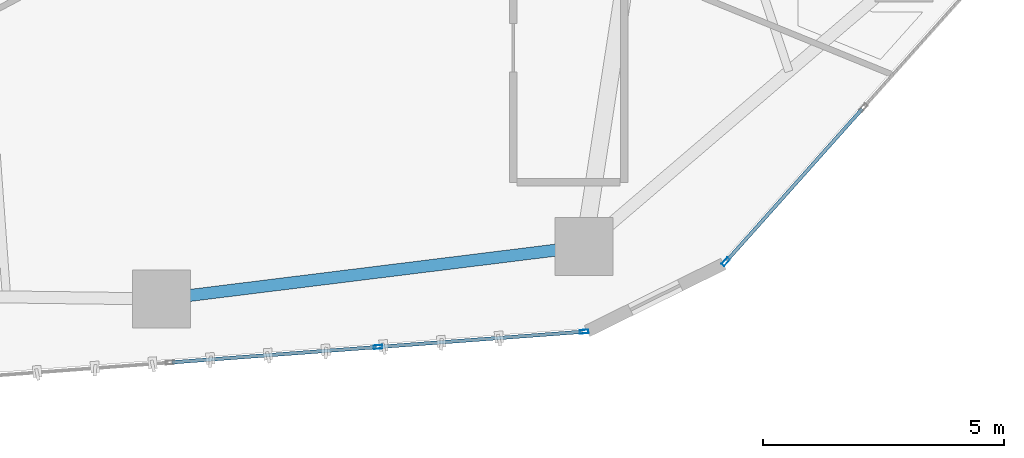
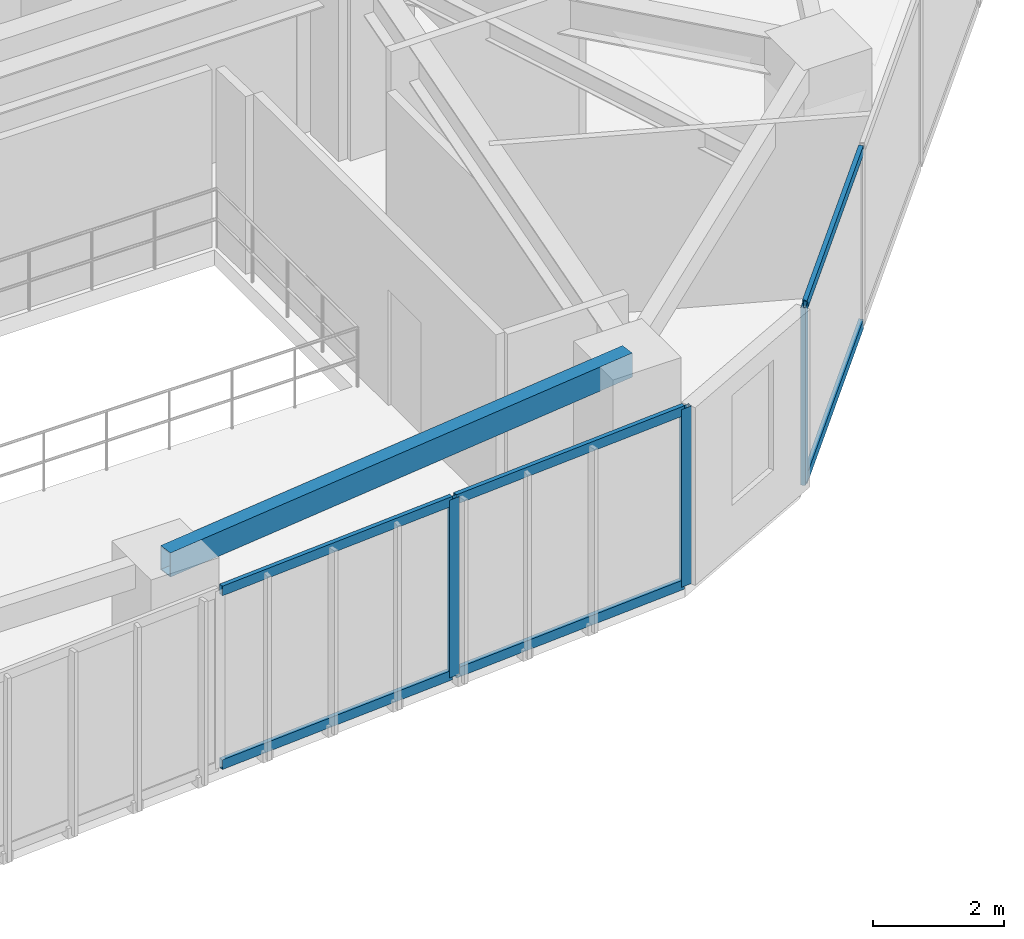
# One storey, part 6 of 23: 9 members, 1 beam, 2 elements without a shape of their own.
"""IFC4 building model written with IfcOpenShell, lengths in metres."""

from ifc_helpers import new_model, si_unit, direction, frame, origin, origin_2d, place, context, subcontext, project, spatial, hollow_rectangle, extrude, source, transform, mapped, material, layer, layer_set, material_profile, profile_set, type_object, type_shapes, element, aggregate, save


model = new_model("IFC4")

# Units and contexts
model_context = context("Model", 3, precision=1e-05, world=origin(), true_north=direction((0.0, 1.0)))
body_context = subcontext(model_context, "Body", "Model", "MODEL_VIEW")
ifc_project = project(units=[si_unit("LENGTHUNIT", "METRE"), si_unit("AREAUNIT", "SQUARE_METRE"), si_unit("VOLUMEUNIT", "CUBIC_METRE"), si_unit("PLANEANGLEUNIT", "RADIAN"), si_unit("MASSUNIT", "GRAM", prefix="KILO")], contexts=[model_context])

# Site, building, storey
site_placement = place(None, origin())
site = spatial("IfcSite", under=ifc_project, at=site_placement, CompositionType="ELEMENT")
building_placement = place(site_placement, origin())
building = spatial("IfcBuilding", under=site, at=building_placement, Name="Talar Marvaseh", CompositionType="ELEMENT")
storey_placement = place(building_placement, frame((0.0, 0.0, 103.800048828125)))
storey = spatial("IfcBuildingStorey", under=building, at=storey_placement, Name="L26", CompositionType="ELEMENT", Elevation=103.800048828125)

# Beam
ifc_material_1 = material(Name="Steel S355", Category="steel")
ifc_material_profile_1 = material_profile(ifc_material_1, hollow_rectangle(XDim=0.25, YDim=0.449951171875, WallThickness=0.01611328125, at=origin_2d()), Name="RHS450x250x16")
ifc_profile_set_1 = profile_set([ifc_material_profile_1], Name="Steel S355")
beam_type = type_object("IfcBeamType", Name="Zone 2 Perimeter Spandrel Beam RHS450x250x16", PredefinedType="SPANDREL", material=ifc_profile_set_1)
beam_placement = place(storey_placement, frame((31.570068359375, 14.26806640625, 3.0849609375), z_axis=(-0.992426007218, -0.122843885468, 0.0), x_axis=(0.122843885468, -0.992426007218, 0.0)))
element("IfcBeam", 1, at=beam_placement, inside=storey, type_object=beam_type, Name="L26 Zone 2 Perimeter Spandrel Beam RHS450x250x16", PredefinedType="SPANDREL", context=body_context, shape_type="SweptSolid", body=[
    extrude(hollow_rectangle(XDim=0.25, YDim=0.449951171875, WallThickness=0.01611328125, at=origin_2d()), origin(), (0.0, 0.0, 1.0), 8.83203125),
])

# Curtain wall, member
ifc_material_2 = material(Name="Architectural Aluminium", Category="aluminium")
ifc_layer = layer(ifc_material_2, 0.199951171875)
ifc_layer_set = layer_set([ifc_layer], Name="Architectural Aluminium")
curtain_wall_type = type_object("IfcCurtainWallType", Name="Unitised Acoustic Library Curtain Wall Z2", PredefinedType="NOTDEFINED", material=ifc_layer_set)
curtain_wall_1_placement = place(storey_placement, origin())
curtain_wall_1 = element("IfcCurtainWall", 2, at=curtain_wall_1_placement, inside=storey, type_object=curtain_wall_type, Name="L26 Unitised Acoustic Library Curtain Wall Z2", PredefinedType="NOTDEFINED")
ifc_material_profile_2 = material_profile(ifc_material_2, hollow_rectangle(XDim=0.074951171875, YDim=0.179931640625, WallThickness=0.0048828125, at=origin_2d()), Name="RHS180x75x5")
ifc_profile_set_2 = profile_set([ifc_material_profile_2], Name="Architectural Aluminium")
member_type_1 = type_object("IfcMemberType", Name="Unitised Curtain Wall Standard Mullion RHS180x75x5", PredefinedType="MULLION", material=ifc_profile_set_2)
shared_shape_1 = source(origin(), body_context, "Body", "SweptSolid", [
    extrude(hollow_rectangle(XDim=0.074951171875, YDim=0.179931640625, WallThickness=0.0048828125, at=origin_2d()), origin(), (0.0, 0.0, 1.0), 3.31005859375),
])
type_shapes(member_type_1, [shared_shape_1])
member_1_placement = place(storey_placement, frame((34.504150390625, 13.951904296875, 0.0), z_axis=(0.0, 0.0, 1.0), x_axis=(0.745952517382, -0.665999130489, 0.0)))
member_1 = element("IfcMember", 3, at=member_1_placement, type_object=member_type_1, Name="CW-Z2 mullion 6", PredefinedType="MULLION", context=body_context, shape_type="MappedRepresentation", body=[
    mapped(shared_shape_1, transform((0.0, 0.0, 0.0), x_axis=(1.0, 0.0, 0.0), y_axis=(0.0, 1.0, 0.0), z_axis=(0.0, 0.0, 1.0), scale=1.0)),
])

# Curtain wall, members
curtain_wall_2_placement = place(storey_placement, origin())
curtain_wall_2 = element("IfcCurtainWall", 4, at=curtain_wall_2_placement, inside=storey, type_object=curtain_wall_type, Name="L26 Unitised Acoustic Library Curtain Wall Z2", PredefinedType="NOTDEFINED")
member_2_placement = place(storey_placement, frame((31.571533203125, 12.505859375, 0.0), z_axis=(0.0, 0.0, 1.0), x_axis=(0.07426324175, -0.997238672999, 0.0)))
member_2 = element("IfcMember", 5, at=member_2_placement, type_object=member_type_1, Name="CW-Z2 mullion 1", PredefinedType="MULLION", context=body_context, shape_type="MappedRepresentation", body=[
    mapped(shared_shape_1, transform((0.0, 0.0, 0.0), x_axis=(1.0, 0.0, 0.0), y_axis=(0.0, 1.0, 0.0), z_axis=(0.0, 0.0, 1.0), scale=1.0)),
])
member_3_placement = place(storey_placement, frame((27.29736328125, 12.1875, 0.0), z_axis=(0.0, 0.0, 1.0), x_axis=(0.07426324175, -0.997238672999, 0.0)))
member_3 = element("IfcMember", 6, at=member_3_placement, type_object=member_type_1, Name="CW-Z2 mullion 2", PredefinedType="MULLION", context=body_context, shape_type="MappedRepresentation", body=[
    mapped(shared_shape_1, transform((0.0, 0.0, 0.0), x_axis=(1.0, 0.0, 0.0), y_axis=(0.0, 1.0, 0.0), z_axis=(0.0, 0.0, 1.0), scale=1.0)),
])

# Member
ifc_material_profile_3 = material_profile(ifc_material_2, hollow_rectangle(XDim=0.074951171875, YDim=0.179931640625, WallThickness=0.0048828125, at=origin_2d()), Name="RHS180x75x5")
ifc_profile_set_3 = profile_set([ifc_material_profile_3], Name="Architectural Aluminium")
member_type_2 = type_object("IfcMemberType", Name="Unitised Curtain Wall Transom RHS180x75x5", PredefinedType="USERDEFINED", material=ifc_profile_set_3)
shared_shape_2 = source(origin(), body_context, "Body", "SweptSolid", [
    extrude(hollow_rectangle(XDim=0.074951171875, YDim=0.179931640625, WallThickness=0.0048828125, at=origin_2d()), origin(), (0.0, 0.0, 1.0), 4.211181640625),
])
member_4_placement = place(storey_placement, frame((37.33349609375, 17.12109375, 0.037353515625), z_axis=(-0.665970835637, -0.745977778544, 0.0), x_axis=(0.745977778544, -0.665970835637, 0.0)))
member_4 = element("IfcMember", 7, at=member_4_placement, type_object=member_type_2, Name="CW-Z2 transom 5.1", ObjectType="TRANSOM", PredefinedType="USERDEFINED", context=body_context, shape_type="MappedRepresentation", body=[
    mapped(shared_shape_2, transform((0.0, 0.0, 0.0), x_axis=(1.0, 0.0, 0.0), y_axis=(0.0, 1.0, 0.0), z_axis=(0.0, 0.0, 1.0), scale=1.0)),
])

member_5_placement = place(storey_placement, frame((37.33349609375, 17.12109375, 3.2724609375), z_axis=(-0.665970835637, -0.745977778544, 0.0), x_axis=(0.745977778544, -0.665970835637, 0.0)))
member_5 = element("IfcMember", 8, at=member_5_placement, type_object=member_type_2, Name="CW-Z2 transom 5.2", ObjectType="TRANSOM", PredefinedType="USERDEFINED", context=body_context, shape_type="MappedRepresentation", body=[
    mapped(shared_shape_2, transform((0.0, 0.0, 0.0), x_axis=(1.0, 0.0, 0.0), y_axis=(0.0, 1.0, 0.0), z_axis=(0.0, 0.0, 1.0), scale=1.0)),
])

aggregate(curtain_wall_1, [member_1, member_4, member_5])

member_6_placement = place(storey_placement, frame((31.5341796875, 12.5029296875, 0.037353515625), z_axis=(-0.997238411571, -0.074266752237, 0.0), x_axis=(0.074266752237, -0.997238411571, 0.0)))
member_6 = element("IfcMember", 9, at=member_6_placement, type_object=member_type_2, Name="CW-Z2 transom 1.1", ObjectType="TRANSOM", PredefinedType="USERDEFINED", context=body_context, shape_type="MappedRepresentation", body=[
    mapped(shared_shape_2, transform((0.0, 0.0, 0.0), x_axis=(1.0, 0.0, 0.0), y_axis=(0.0, 1.0, 0.0), z_axis=(0.0, 0.0, 1.0), scale=1.0)),
])

member_7_placement = place(storey_placement, frame((31.5341796875, 12.5029296875, 3.2724609375), z_axis=(-0.997238411571, -0.074266752237, 0.0), x_axis=(0.074266752237, -0.997238411571, 0.0)))
member_7 = element("IfcMember", 10, at=member_7_placement, type_object=member_type_2, Name="CW-Z2 transom 1.2", ObjectType="TRANSOM", PredefinedType="USERDEFINED", context=body_context, shape_type="MappedRepresentation", body=[
    mapped(shared_shape_2, transform((0.0, 0.0, 0.0), x_axis=(1.0, 0.0, 0.0), y_axis=(0.0, 1.0, 0.0), z_axis=(0.0, 0.0, 1.0), scale=1.0)),
])

shared_shape_3 = source(origin(), body_context, "Body", "SweptSolid", [
    extrude(hollow_rectangle(XDim=0.074951171875, YDim=0.179931640625, WallThickness=0.0048828125, at=origin_2d()), origin(), (0.0, 0.0, 1.0), 4.24853515625),
])
type_shapes(member_type_2, [shared_shape_2, shared_shape_3])
member_8_placement = place(storey_placement, frame((27.260009765625, 12.184814453125, 0.037353515625), z_axis=(-0.997235833082, -0.074301367533, 0.0), x_axis=(0.074301367533, -0.997235833082, 0.0)))
member_8 = element("IfcMember", 11, at=member_8_placement, type_object=member_type_2, Name="CW-Z2 transom 2.1", ObjectType="TRANSOM", PredefinedType="USERDEFINED", context=body_context, shape_type="MappedRepresentation", body=[
    mapped(shared_shape_3, transform((0.0, 0.0, 0.0), x_axis=(1.0, 0.0, 0.0), y_axis=(0.0, 1.0, 0.0), z_axis=(0.0, 0.0, 1.0), scale=1.0)),
])

member_9_placement = place(storey_placement, frame((27.260009765625, 12.184814453125, 3.2724609375), z_axis=(-0.997235833082, -0.074301367533, 0.0), x_axis=(0.074301367533, -0.997235833082, 0.0)))
member_9 = element("IfcMember", 12, at=member_9_placement, type_object=member_type_2, Name="CW-Z2 transom 2.2", ObjectType="TRANSOM", PredefinedType="USERDEFINED", context=body_context, shape_type="MappedRepresentation", body=[
    mapped(shared_shape_3, transform((0.0, 0.0, 0.0), x_axis=(1.0, 0.0, 0.0), y_axis=(0.0, 1.0, 0.0), z_axis=(0.0, 0.0, 1.0), scale=1.0)),
])

aggregate(curtain_wall_2, [member_2, member_3, member_6, member_7, member_8, member_9])

save(model, "model.ifc")
